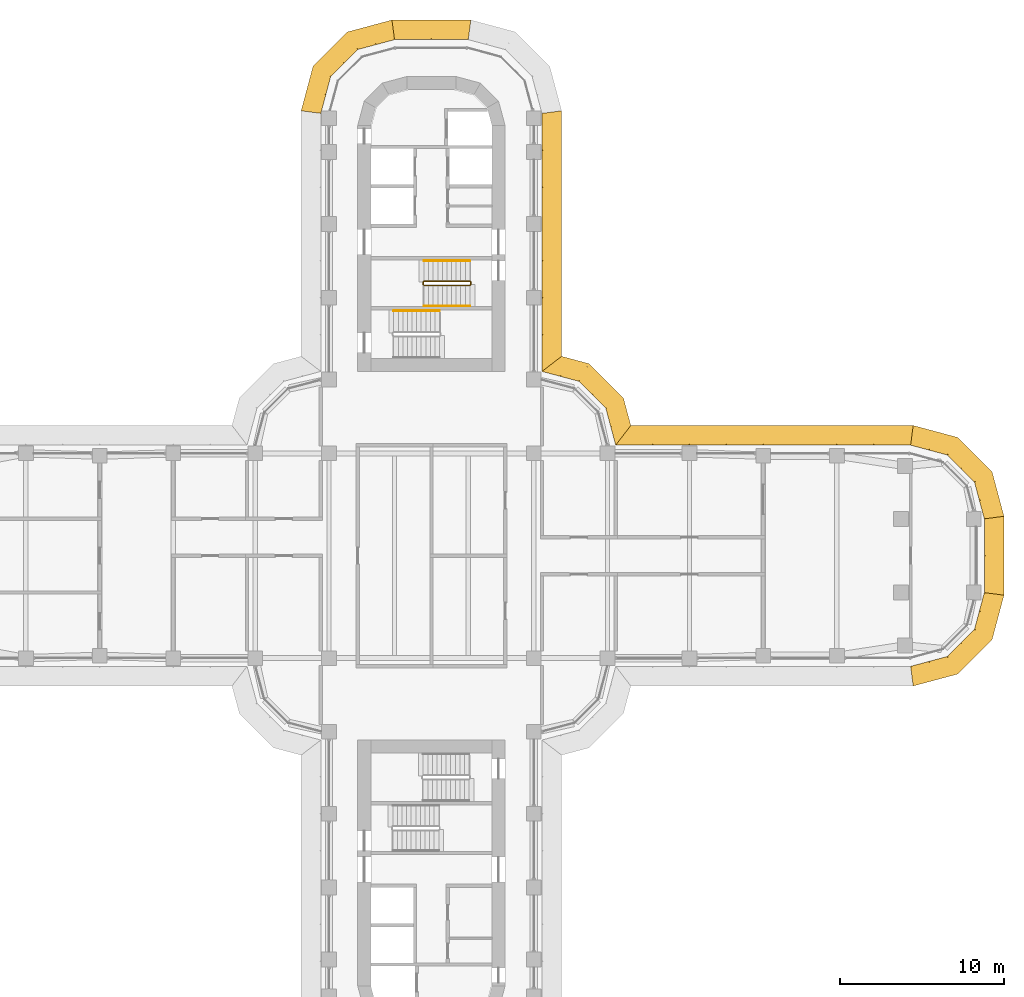
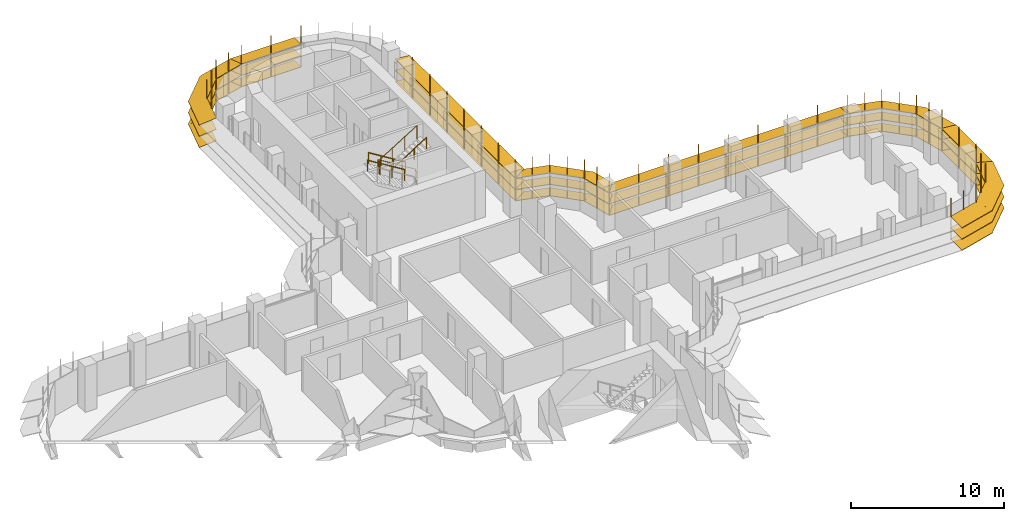
# One storey, part 21 of 22: 8 shading devices, 4 railings.
"""IFC4 building model written with IfcOpenShell, lengths in metres."""

from ifc_helpers import new_model, si_unit, direction, frame, origin, origin_2d, place, context, subcontext, project, spatial, polyline, circle, outline, extrude, faceted_brep, source, transform, mapped, material, type_object, element, save


model = new_model("IFC4")

# Units and contexts
model_context = context("Model", 3, precision=1e-05, world=origin(), true_north=direction((0.0, 1.0)))
body_context = subcontext(model_context, "Body", "Model", "MODEL_VIEW")
ifc_project = project(units=[si_unit("LENGTHUNIT", "METRE"), si_unit("AREAUNIT", "SQUARE_METRE"), si_unit("VOLUMEUNIT", "CUBIC_METRE"), si_unit("PLANEANGLEUNIT", "RADIAN"), si_unit("MASSUNIT", "GRAM", prefix="KILO")], contexts=[model_context])

# Site, building, storey
site_placement = place(None, origin())
site = spatial("IfcSite", under=ifc_project, at=site_placement, CompositionType="ELEMENT")
building_placement = place(site_placement, origin())
building = spatial("IfcBuilding", under=site, at=building_placement, Name="Zarbagh Exchange Tower", CompositionType="ELEMENT")
storey_placement = place(building_placement, frame((0.0, 0.0, 98.0)))
storey = spatial("IfcBuildingStorey", under=building, at=storey_placement, Name="L22", CompositionType="ELEMENT", Elevation=98.0)

# Railings
ifc_material_1 = material(Name="Stainless steel", Category="steel")
railing_type_1 = type_object("IfcRailingType", Name="Stair guard 1100 mm", PredefinedType="GUARDRAIL", material=ifc_material_1)
railing_1_placement = place(storey_placement, frame((-0.449951171875, 16.5, 2.07275390625)))
element("IfcRailing", 1, at=railing_1_placement, inside=storey, type_object=railing_type_1, Name="ST1 stair guard 1", PredefinedType="GUARDRAIL", context=body_context, shape_type="SweptSolid", body=[
    extrude(circle(Radius=0.02392578125, at=origin_2d()), frame((0.0, 0.0, 1.076171875), z_axis=(0.851089632645, 0.0, 0.525020415988), x_axis=(0.0, 1.0, 0.0)), (0.0, 0.0, 1.0), 3.2900390625),
    extrude(circle(Radius=0.02392578125, at=origin_2d()), frame((2.800048828125, 0.0, 2.80322265625), z_axis=(0.013104066473, 0.013168302093, -0.99982742474), x_axis=(-0.708833529934, 0.705375805398, 0.0)), (0.0, 0.0, 1.0), 3.80078125),
    extrude(circle(Radius=0.02392578125, at=origin_2d()), frame((2.849853515625, 0.050048828125, -0.99658203125), z_axis=(0.0, 1.0, 0.0), x_axis=(-1.0, 0.0, 0.0)), (0.0, 0.0, 1.0), 0.14990234375),
    extrude(circle(Radius=0.02392578125, at=origin_2d()), frame((2.849853515625, 0.199951171875, -0.99658203125), z_axis=(-0.267062837333, 0.268371968888, 0.925556009775), x_axis=(-0.708833529934, -0.705375805398, 0.0)), (0.0, 0.0, 1.0), 0.1865234375),
    extrude(circle(Radius=0.02392578125, at=origin_2d()), frame((2.800048828125, 0.25, -0.82421875), z_axis=(-0.851089632645, 0.0, 0.525020415988), x_axis=(0.0, -1.0, 0.0)), (0.0, 0.0, 1.0), 3.2900390625),
    extrude(circle(Radius=0.02392578125, at=origin_2d()), frame((0.0, 0.25, 0.9033203125), z_axis=(-0.707106781187, -0.707106781187, 0.0), x_axis=(0.707106781187, -0.707106781187, 0.0)), (0.0, 0.0, 1.0), 0.07080078125),
    extrude(circle(Radius=0.02392578125, at=origin_2d()), frame((-0.050048828125, 0.199951171875, 0.9033203125), z_axis=(0.0, -1.0, 0.0), x_axis=(1.0, 0.0, 0.0)), (0.0, 0.0, 1.0), 0.14990234375),
    extrude(circle(Radius=0.02099609375, at=origin_2d()), origin(), (0.0, 0.0, 1.0), 1.052001953125),
    extrude(circle(Radius=0.02099609375, at=origin_2d()), frame((0.933349609375, 0.0, 0.57568359375)), (0.0, 0.0, 1.0), 1.052001953125),
    extrude(circle(Radius=0.02099609375, at=origin_2d()), frame((1.86669921875, 0.0, 1.151611328125)), (0.0, 0.0, 1.0), 1.052001953125),
    extrude(circle(Radius=0.02099609375, at=origin_2d()), frame((2.800048828125, 0.0, 1.727294921875)), (0.0, 0.0, 1.0), 1.052001953125),
    extrude(circle(Radius=0.02099609375, at=origin_2d()), frame((2.8125, 0.012451171875, 0.77734375)), (0.0, 0.0, 1.0), 1.052001953125),
    extrude(circle(Radius=0.02099609375, at=origin_2d()), frame((2.824951171875, 0.02490234375, -0.1728515625)), (0.0, 0.0, 1.0), 1.052001953125),
    extrude(circle(Radius=0.02099609375, at=origin_2d()), frame((2.83740234375, 0.03759765625, -1.122802734375)), (0.0, 0.0, 1.0), 1.052001953125),
    extrude(circle(Radius=0.02099609375, at=origin_2d()), frame((2.849853515625, 0.050048828125, -2.07275390625)), (0.0, 0.0, 1.0), 1.052001953125),
    extrude(circle(Radius=0.02099609375, at=origin_2d()), frame((2.849853515625, 0.199951171875, -2.07275390625)), (0.0, 0.0, 1.0), 1.052001953125),
    extrude(circle(Radius=0.02099609375, at=origin_2d()), frame((2.800048828125, 0.25, -1.900146484375)), (0.0, 0.0, 1.0), 1.052001953125),
    extrude(circle(Radius=0.02099609375, at=origin_2d()), frame((1.86669921875, 0.25, -1.324462890625)), (0.0, 0.0, 1.0), 1.052001953125),
    extrude(circle(Radius=0.02099609375, at=origin_2d()), frame((0.933349609375, 0.25, -0.74853515625)), (0.0, 0.0, 1.0), 1.052001953125),
    extrude(circle(Radius=0.02099609375, at=origin_2d()), frame((0.0, 0.25, -0.1728515625)), (0.0, 0.0, 1.0), 1.052001953125),
    extrude(circle(Radius=0.02099609375, at=origin_2d()), frame((-0.050048828125, 0.199951171875, -0.1728515625)), (0.0, 0.0, 1.0), 1.052001953125),
    extrude(circle(Radius=0.02099609375, at=origin_2d()), frame((-0.050048828125, 0.050048828125, -0.1728515625)), (0.0, 0.0, 1.0), 1.052001953125),
])
railing_type_2 = type_object("IfcRailingType", Name="Stair handrail 900 mm", PredefinedType="HANDRAIL", material=ifc_material_1)
railing_2_placement = place(storey_placement, frame((2.35009765625, 18.0, 0.172607421875)))
element("IfcRailing", 2, at=railing_2_placement, inside=storey, type_object=railing_type_2, Name="ST1 stair handrail 1", PredefinedType="HANDRAIL", context=body_context, shape_type="SweptSolid", body=[
    extrude(circle(Radius=0.02392578125, at=origin_2d()), frame((0.0, 0.0, 0.8759765625), z_axis=(-0.851089632645, 0.0, 0.525020415988), x_axis=(0.0, -1.0, 0.0)), (0.0, 0.0, 1.0), 3.2900390625),
    extrude(circle(Radius=0.02099609375, at=origin_2d()), origin(), (0.0, 0.0, 1.0), 0.851806640625),
    extrude(circle(Radius=0.02099609375, at=origin_2d()), frame((-0.933349609375, 0.0, 0.57568359375)), (0.0, 0.0, 1.0), 0.851806640625),
    extrude(circle(Radius=0.02099609375, at=origin_2d()), frame((-1.86669921875, 0.0, 1.151611328125)), (0.0, 0.0, 1.0), 0.851806640625),
    extrude(circle(Radius=0.02099609375, at=origin_2d()), frame((-2.800048828125, 0.0, 1.727294921875)), (0.0, 0.0, 1.0), 0.851806640625),
])
railing_3_placement = place(storey_placement, frame((-0.449951171875, 15.25, 2.07275390625)))
element("IfcRailing", 3, at=railing_3_placement, inside=storey, type_object=railing_type_2, Name="ST1 stair handrail 2", PredefinedType="HANDRAIL", context=body_context, shape_type="SweptSolid", body=[
    extrude(circle(Radius=0.02392578125, at=origin_2d()), frame((0.0, 0.0, 0.8759765625), z_axis=(0.851089632645, 0.0, 0.525020415988), x_axis=(0.0, 1.0, 0.0)), (0.0, 0.0, 1.0), 3.2900390625),
    extrude(circle(Radius=0.02099609375, at=origin_2d()), origin(), (0.0, 0.0, 1.0), 0.851806640625),
    extrude(circle(Radius=0.02099609375, at=origin_2d()), frame((0.933349609375, 0.0, 0.57568359375)), (0.0, 0.0, 1.0), 0.851806640625),
    extrude(circle(Radius=0.02099609375, at=origin_2d()), frame((1.86669921875, 0.0, 1.151611328125)), (0.0, 0.0, 1.0), 0.851806640625),
    extrude(circle(Radius=0.02099609375, at=origin_2d()), frame((2.800048828125, 0.0, 1.727294921875)), (0.0, 0.0, 1.0), 0.851806640625),
])
railing_4_placement = place(storey_placement, frame((0.5, 14.949951171875, 2.07275390625)))
element("IfcRailing", 4, at=railing_4_placement, inside=storey, type_object=railing_type_2, Name="ST2 stair handrail 2", PredefinedType="HANDRAIL", context=body_context, shape_type="SweptSolid", body=[
    extrude(circle(Radius=0.02392578125, at=origin_2d()), frame((0.0, 0.0, 0.8759765625), z_axis=(-0.851089632645, 0.0, 0.525020415988), x_axis=(0.0, -1.0, 0.0)), (0.0, 0.0, 1.0), 3.2900390625),
    extrude(circle(Radius=0.02099609375, at=origin_2d()), origin(), (0.0, 0.0, 1.0), 0.851806640625),
    extrude(circle(Radius=0.02099609375, at=origin_2d()), frame((-0.933349609375, 0.0, 0.57568359375)), (0.0, 0.0, 1.0), 0.851806640625),
    extrude(circle(Radius=0.02099609375, at=origin_2d()), frame((-1.86669921875, 0.0, 1.151611328125)), (0.0, 0.0, 1.0), 0.851806640625),
    extrude(circle(Radius=0.02099609375, at=origin_2d()), frame((-2.800048828125, 0.0, 1.727294921875)), (0.0, 0.0, 1.0), 0.851806640625),
])

# Shading devices
ifc_material_2 = material(Name="Anodised aluminium blades and brackets", Category="aluminium")
shading_device_type = type_object("IfcShadingDeviceType", Name="SUNSHADE louvre band, 11.25 degree blades", PredefinedType="JALOUSIE", material=ifc_material_2)
shared_shape_1 = source(origin(), body_context, "Body", "Brep", [
    faceted_brep([(0.0, 0.0, 0.0), (0.0, 0.0, -0.040771484375), (-0.157958984375, -1.199951171875, -0.279541015625), (-0.157958984375, -1.199951171875, -0.23876953125), (2.65087890625, -1.199951171875, -0.23876953125), (2.65087890625, -1.199951171875, -0.279541015625), (2.329345703125, 0.0, -0.040771484375), (2.329345703125, 0.0, 0.0)], [[[0, 1, 2, 3]], [[4, 5, 6, 7]], [[0, 7, 6, 1]], [[1, 6, 5, 2]], [[2, 5, 4, 3]], [[3, 4, 7, 0]]]),
])
shared_shape_2 = source(origin(), body_context, "Body", "Brep", [
    faceted_brep([(0.0, 0.0, 0.0), (0.0, 0.0, -0.040771484375), (-0.321533203125, -1.199951171875, -0.279541015625), (-0.321533203125, -1.199951171875, -0.23876953125), (2.65087890625, -1.199951171875, -0.23876953125), (2.65087890625, -1.199951171875, -0.279541015625), (2.329345703125, 0.0, -0.040771484375), (2.329345703125, 0.0, 0.0)], [[[0, 1, 2, 3]], [[4, 5, 6, 7]], [[0, 7, 6, 1]], [[1, 6, 5, 2]], [[2, 5, 4, 3]], [[3, 4, 7, 0]]]),
])
shared_shape_3 = source(origin(), body_context, "Body", "Brep", [
    faceted_brep([(0.0, 0.0, 0.0), (0.0, 0.0, -0.040771484375), (-0.321533203125, -1.199951171875, -0.279541015625), (-0.321533203125, -1.199951171875, -0.23876953125), (2.4873046875, -1.199951171875, -0.23876953125), (2.4873046875, -1.199951171875, -0.279541015625), (2.329345703125, 0.0, -0.040771484375), (2.329345703125, 0.0, 0.0)], [[[0, 1, 2, 3]], [[4, 5, 6, 7]], [[0, 7, 6, 1]], [[1, 6, 5, 2]], [[2, 5, 4, 3]], [[3, 4, 7, 0]]]),
])
shared_shape_4 = source(origin(), body_context, "Body", "SweptSolid", [
    extrude(outline(polyline([(0.0, -0.012451171875), (0.06005859375, -0.012451171875), (0.06005859375, 0.012451171875), (0.0, 0.012451171875), (0.0, -0.012451171875)])), origin(), (0.0, 0.0, 1.0), 3.350830078125),
])
placement = place(storey_placement, origin())
element("IfcShadingDevice", 5, at=placement, inside=storey, type_object=shading_device_type, Name="SS05 sunshade band", PredefinedType="JALOUSIE", context=body_context, shape_type="MappedRepresentation", body=[
    mapped(shared_shape_1, transform((29.25, -6.75, 2.300048828125), x_axis=(0.965924289636, 0.258824779902, 0.0), y_axis=(-0.258824779902, 0.965924289636, 0.0), z_axis=(0.0, 0.0, 1.0))),
    mapped(shared_shape_1, transform((29.25, -6.75, 1.39990234375), x_axis=(0.965924289636, 0.258824779902, 0.0), y_axis=(-0.258824779902, 0.965924289636, 0.0), z_axis=(0.0, 0.0, 1.0))),
    mapped(shared_shape_1, transform((29.25, -6.75, 0.5), x_axis=(0.965924289636, 0.258824779902, 0.0), y_axis=(-0.258824779902, 0.965924289636, 0.0), z_axis=(0.0, 0.0, 1.0))),
    mapped(shared_shape_2, transform((31.5, -6.147216796875, 2.300048828125), x_axis=(0.707106781187, 0.707106781187, 0.0), y_axis=(-0.707106781187, 0.707106781187, 0.0), z_axis=(0.0, 0.0, 1.0))),
    mapped(shared_shape_2, transform((31.5, -6.147216796875, 1.39990234375), x_axis=(0.707106781187, 0.707106781187, 0.0), y_axis=(-0.707106781187, 0.707106781187, 0.0), z_axis=(0.0, 0.0, 1.0))),
    mapped(shared_shape_2, transform((31.5, -6.147216796875, 0.5), x_axis=(0.707106781187, 0.707106781187, 0.0), y_axis=(-0.707106781187, 0.707106781187, 0.0), z_axis=(0.0, 0.0, 1.0))),
    mapped(shared_shape_3, transform((33.147216796875, -4.5, 2.300048828125), x_axis=(0.258824779902, 0.965924289636, 0.0), y_axis=(-0.965924289636, 0.258824779902, 0.0), z_axis=(0.0, 0.0, 1.0))),
    mapped(shared_shape_3, transform((33.147216796875, -4.5, 1.39990234375), x_axis=(0.258824779902, 0.965924289636, 0.0), y_axis=(-0.965924289636, 0.258824779902, 0.0), z_axis=(0.0, 0.0, 1.0))),
    mapped(shared_shape_3, transform((33.147216796875, -4.5, 0.5), x_axis=(0.258824779902, 0.965924289636, 0.0), y_axis=(-0.965924289636, 0.258824779902, 0.0), z_axis=(0.0, 0.0, 1.0))),
    mapped(shared_shape_4, transform((29.25, -6.75, 0.42919921875), x_axis=(0.130529263012, -0.991444457092, 0.0), y_axis=(0.991444457092, 0.130529263012, 0.0), z_axis=(0.0, 0.0, 1.0))),
    mapped(shared_shape_4, transform((30.375, -6.448486328125, 0.42919921875), x_axis=(0.258825058029, -0.96592421511, 0.0), y_axis=(0.96592421511, 0.258825058029, 0.0), z_axis=(0.0, 0.0, 1.0))),
    mapped(shared_shape_4, transform((31.5, -6.147216796875, 0.42919921875), x_axis=(0.50000275701, -0.866023812018, 0.0), y_axis=(0.866023812018, 0.50000275701, 0.0), z_axis=(0.0, 0.0, 1.0))),
    mapped(shared_shape_4, transform((32.323486328125, -5.323486328125, 0.42919921875), x_axis=(0.707106781187, -0.707106781187, 0.0), y_axis=(0.707106781187, 0.707106781187, 0.0), z_axis=(0.0, 0.0, 1.0))),
    mapped(shared_shape_4, transform((33.147216796875, -4.5, 0.42919921875), x_axis=(0.866023812018, -0.50000275701, 0.0), y_axis=(0.50000275701, 0.866023812018, 0.0), z_axis=(0.0, 0.0, 1.0))),
    mapped(shared_shape_4, transform((33.448486328125, -3.375, 0.42919921875), x_axis=(0.96592421511, -0.258825058029, 0.0), y_axis=(0.258825058029, 0.96592421511, 0.0), z_axis=(0.0, 0.0, 1.0))),
])
element("IfcShadingDevice", 6, at=placement, inside=storey, type_object=shading_device_type, Name="SS07 sunshade band", PredefinedType="JALOUSIE", context=body_context, shape_type="MappedRepresentation", body=[
    mapped(shared_shape_1, transform((33.75, 2.25, 2.300048828125), x_axis=(-0.258824779902, 0.965924289636, 0.0), y_axis=(-0.965924289636, -0.258824779902, 0.0), z_axis=(0.0, 0.0, 1.0))),
    mapped(shared_shape_1, transform((33.75, 2.25, 1.39990234375), x_axis=(-0.258824779902, 0.965924289636, 0.0), y_axis=(-0.965924289636, -0.258824779902, 0.0), z_axis=(0.0, 0.0, 1.0))),
    mapped(shared_shape_1, transform((33.75, 2.25, 0.5), x_axis=(-0.258824779902, 0.965924289636, 0.0), y_axis=(-0.965924289636, -0.258824779902, 0.0), z_axis=(0.0, 0.0, 1.0))),
    mapped(shared_shape_2, transform((33.147216796875, 4.5, 2.300048828125), x_axis=(-0.707106781187, 0.707106781187, 0.0), y_axis=(-0.707106781187, -0.707106781187, 0.0), z_axis=(0.0, 0.0, 1.0))),
    mapped(shared_shape_2, transform((33.147216796875, 4.5, 1.39990234375), x_axis=(-0.707106781187, 0.707106781187, 0.0), y_axis=(-0.707106781187, -0.707106781187, 0.0), z_axis=(0.0, 0.0, 1.0))),
    mapped(shared_shape_2, transform((33.147216796875, 4.5, 0.5), x_axis=(-0.707106781187, 0.707106781187, 0.0), y_axis=(-0.707106781187, -0.707106781187, 0.0), z_axis=(0.0, 0.0, 1.0))),
    mapped(shared_shape_3, transform((31.5, 6.147216796875, 2.300048828125), x_axis=(-0.965924289636, 0.258824779902, 0.0), y_axis=(-0.258824779902, -0.965924289636, 0.0), z_axis=(0.0, 0.0, 1.0))),
    mapped(shared_shape_3, transform((31.5, 6.147216796875, 1.39990234375), x_axis=(-0.965924289636, 0.258824779902, 0.0), y_axis=(-0.258824779902, -0.965924289636, 0.0), z_axis=(0.0, 0.0, 1.0))),
    mapped(shared_shape_3, transform((31.5, 6.147216796875, 0.5), x_axis=(-0.965924289636, 0.258824779902, 0.0), y_axis=(-0.258824779902, -0.965924289636, 0.0), z_axis=(0.0, 0.0, 1.0))),
    mapped(shared_shape_4, transform((33.75, 2.25, 0.42919921875), x_axis=(0.991444457092, 0.130529263012, 0.0), y_axis=(-0.130529263012, 0.991444457092, 0.0), z_axis=(0.0, 0.0, 1.0))),
    mapped(shared_shape_4, transform((33.448486328125, 3.375, 0.42919921875), x_axis=(0.96592421511, 0.258825058029, 0.0), y_axis=(-0.258825058029, 0.96592421511, 0.0), z_axis=(0.0, 0.0, 1.0))),
    mapped(shared_shape_4, transform((33.147216796875, 4.5, 0.42919921875), x_axis=(0.866023812018, 0.50000275701, 0.0), y_axis=(-0.50000275701, 0.866023812018, 0.0), z_axis=(0.0, 0.0, 1.0))),
    mapped(shared_shape_4, transform((32.323486328125, 5.323486328125, 0.42919921875), x_axis=(0.707106781187, 0.707106781187, 0.0), y_axis=(-0.707106781187, 0.707106781187, 0.0), z_axis=(0.0, 0.0, 1.0))),
    mapped(shared_shape_4, transform((31.5, 6.147216796875, 0.42919921875), x_axis=(0.50000275701, 0.866023812018, 0.0), y_axis=(-0.866023812018, 0.50000275701, 0.0), z_axis=(0.0, 0.0, 1.0))),
    mapped(shared_shape_4, transform((30.375, 6.448486328125, 0.42919921875), x_axis=(0.258825058029, 0.96592421511, 0.0), y_axis=(-0.96592421511, 0.258825058029, 0.0), z_axis=(0.0, 0.0, 1.0))),
])
element("IfcShadingDevice", 7, at=placement, inside=storey, type_object=shading_device_type, Name="SS28 sunshade band", PredefinedType="JALOUSIE", context=body_context, shape_type="MappedRepresentation", body=[
    mapped(shared_shape_1, transform((-2.25, 31.5, 2.300048828125), x_axis=(-0.965924289636, -0.258824779902, 0.0), y_axis=(0.258824779902, -0.965924289636, 0.0), z_axis=(0.0, 0.0, 1.0))),
    mapped(shared_shape_1, transform((-2.25, 31.5, 1.39990234375), x_axis=(-0.965924289636, -0.258824779902, 0.0), y_axis=(0.258824779902, -0.965924289636, 0.0), z_axis=(0.0, 0.0, 1.0))),
    mapped(shared_shape_1, transform((-2.25, 31.5, 0.5), x_axis=(-0.965924289636, -0.258824779902, 0.0), y_axis=(0.258824779902, -0.965924289636, 0.0), z_axis=(0.0, 0.0, 1.0))),
    mapped(shared_shape_2, transform((-4.5, 30.897216796875, 2.300048828125), x_axis=(-0.707106781187, -0.707106781187, 0.0), y_axis=(0.707106781187, -0.707106781187, 0.0), z_axis=(0.0, 0.0, 1.0))),
    mapped(shared_shape_2, transform((-4.5, 30.897216796875, 1.39990234375), x_axis=(-0.707106781187, -0.707106781187, 0.0), y_axis=(0.707106781187, -0.707106781187, 0.0), z_axis=(0.0, 0.0, 1.0))),
    mapped(shared_shape_2, transform((-4.5, 30.897216796875, 0.5), x_axis=(-0.707106781187, -0.707106781187, 0.0), y_axis=(0.707106781187, -0.707106781187, 0.0), z_axis=(0.0, 0.0, 1.0))),
    mapped(shared_shape_3, transform((-6.147216796875, 29.25, 2.300048828125), x_axis=(-0.258824779902, -0.965924289636, 0.0), y_axis=(0.965924289636, -0.258824779902, 0.0), z_axis=(0.0, 0.0, 1.0))),
    mapped(shared_shape_3, transform((-6.147216796875, 29.25, 1.39990234375), x_axis=(-0.258824779902, -0.965924289636, 0.0), y_axis=(0.965924289636, -0.258824779902, 0.0), z_axis=(0.0, 0.0, 1.0))),
    mapped(shared_shape_3, transform((-6.147216796875, 29.25, 0.5), x_axis=(-0.258824779902, -0.965924289636, 0.0), y_axis=(0.965924289636, -0.258824779902, 0.0), z_axis=(0.0, 0.0, 1.0))),
    mapped(shared_shape_4, transform((-2.25, 31.5, 0.42919921875), x_axis=(-0.130529263012, 0.991444457092, 0.0), y_axis=(-0.991444457092, -0.130529263012, 0.0), z_axis=(0.0, 0.0, 1.0))),
    mapped(shared_shape_4, transform((-3.375, 31.198486328125, 0.42919921875), x_axis=(-0.258825058029, 0.96592421511, 0.0), y_axis=(-0.96592421511, -0.258825058029, 0.0), z_axis=(0.0, 0.0, 1.0))),
    mapped(shared_shape_4, transform((-4.5, 30.897216796875, 0.42919921875), x_axis=(-0.50000275701, 0.866023812018, 0.0), y_axis=(-0.866023812018, -0.50000275701, 0.0), z_axis=(0.0, 0.0, 1.0))),
    mapped(shared_shape_4, transform((-5.323486328125, 30.073486328125, 0.42919921875), x_axis=(-0.707106781187, 0.707106781187, 0.0), y_axis=(-0.707106781187, -0.707106781187, 0.0), z_axis=(0.0, 0.0, 1.0))),
    mapped(shared_shape_4, transform((-6.147216796875, 29.25, 0.42919921875), x_axis=(-0.866023812018, 0.50000275701, 0.0), y_axis=(-0.50000275701, -0.866023812018, 0.0), z_axis=(0.0, 0.0, 1.0))),
    mapped(shared_shape_4, transform((-6.448486328125, 28.125, 0.42919921875), x_axis=(-0.96592421511, 0.258825058029, 0.0), y_axis=(-0.258825058029, -0.96592421511, 0.0), z_axis=(0.0, 0.0, 1.0))),
])
shared_shape_5 = source(origin(), body_context, "Body", "Brep", [
    faceted_brep([(0.0, 0.0, 0.0), (0.0, 0.0, -0.040771484375), (0.9208984375, -1.199951171875, -0.279541015625), (0.9208984375, -1.199951171875, -0.23876953125), (2.65087890625, -1.199951171875, -0.23876953125), (2.65087890625, -1.199951171875, -0.279541015625), (2.329345703125, 0.0, -0.040771484375), (2.329345703125, 0.0, 0.0)], [[[0, 1, 2, 3]], [[4, 5, 6, 7]], [[0, 7, 6, 1]], [[1, 6, 5, 2]], [[2, 5, 4, 3]], [[3, 4, 7, 0]]]),
])
shared_shape_6 = source(origin(), body_context, "Body", "Brep", [
    faceted_brep([(0.0, 0.0, 0.0), (0.0, 0.0, -0.040771484375), (-0.321533203125, -1.199951171875, -0.279541015625), (-0.321533203125, -1.199951171875, -0.23876953125), (1.40869140625, -1.199951171875, -0.23876953125), (1.40869140625, -1.199951171875, -0.279541015625), (2.329345703125, 0.0, -0.040771484375), (2.329345703125, 0.0, 0.0)], [[[0, 1, 2, 3]], [[4, 5, 6, 7]], [[0, 7, 6, 1]], [[1, 6, 5, 2]], [[2, 5, 4, 3]], [[3, 4, 7, 0]]]),
])
element("IfcShadingDevice", 8, at=placement, inside=storey, type_object=shading_device_type, Name="SS09 sunshade band", PredefinedType="JALOUSIE", context=body_context, shape_type="MappedRepresentation", body=[
    mapped(shared_shape_5, transform((11.25, 6.75, 2.300048828125), x_axis=(-0.258824779902, 0.965924289636, 0.0), y_axis=(-0.965924289636, -0.258824779902, 0.0), z_axis=(0.0, 0.0, 1.0))),
    mapped(shared_shape_5, transform((11.25, 6.75, 1.39990234375), x_axis=(-0.258824779902, 0.965924289636, 0.0), y_axis=(-0.965924289636, -0.258824779902, 0.0), z_axis=(0.0, 0.0, 1.0))),
    mapped(shared_shape_5, transform((11.25, 6.75, 0.5), x_axis=(-0.258824779902, 0.965924289636, 0.0), y_axis=(-0.965924289636, -0.258824779902, 0.0), z_axis=(0.0, 0.0, 1.0))),
    mapped(shared_shape_2, transform((10.647216796875, 9.0, 2.300048828125), x_axis=(-0.707106781187, 0.707106781187, 0.0), y_axis=(-0.707106781187, -0.707106781187, 0.0), z_axis=(0.0, 0.0, 1.0))),
    mapped(shared_shape_2, transform((10.647216796875, 9.0, 1.39990234375), x_axis=(-0.707106781187, 0.707106781187, 0.0), y_axis=(-0.707106781187, -0.707106781187, 0.0), z_axis=(0.0, 0.0, 1.0))),
    mapped(shared_shape_2, transform((10.647216796875, 9.0, 0.5), x_axis=(-0.707106781187, 0.707106781187, 0.0), y_axis=(-0.707106781187, -0.707106781187, 0.0), z_axis=(0.0, 0.0, 1.0))),
    mapped(shared_shape_6, transform((9.0, 10.647216796875, 2.300048828125), x_axis=(-0.965924289636, 0.258824779902, 0.0), y_axis=(-0.258824779902, -0.965924289636, 0.0), z_axis=(0.0, 0.0, 1.0))),
    mapped(shared_shape_6, transform((9.0, 10.647216796875, 1.39990234375), x_axis=(-0.965924289636, 0.258824779902, 0.0), y_axis=(-0.258824779902, -0.965924289636, 0.0), z_axis=(0.0, 0.0, 1.0))),
    mapped(shared_shape_6, transform((9.0, 10.647216796875, 0.5), x_axis=(-0.965924289636, 0.258824779902, 0.0), y_axis=(-0.258824779902, -0.965924289636, 0.0), z_axis=(0.0, 0.0, 1.0))),
    mapped(shared_shape_4, transform((11.25, 6.75, 0.42919921875), x_axis=(0.608758892, 0.793355287, 0.0), y_axis=(-0.793355287, 0.608758892, 0.0), z_axis=(0.0, 0.0, 1.0))),
    mapped(shared_shape_4, transform((10.948486328125, 7.875, 0.42919921875), x_axis=(0.96592421511, 0.258825058029, 0.0), y_axis=(-0.258825058029, 0.96592421511, 0.0), z_axis=(0.0, 0.0, 1.0))),
    mapped(shared_shape_4, transform((10.647216796875, 9.0, 0.42919921875), x_axis=(0.866023812018, 0.50000275701, 0.0), y_axis=(-0.50000275701, 0.866023812018, 0.0), z_axis=(0.0, 0.0, 1.0))),
    mapped(shared_shape_4, transform((9.823486328125, 9.823486328125, 0.42919921875), x_axis=(0.707106781187, 0.707106781187, 0.0), y_axis=(-0.707106781187, 0.707106781187, 0.0), z_axis=(0.0, 0.0, 1.0))),
    mapped(shared_shape_4, transform((9.0, 10.647216796875, 0.42919921875), x_axis=(0.50000275701, 0.866023812018, 0.0), y_axis=(-0.866023812018, 0.50000275701, 0.0), z_axis=(0.0, 0.0, 1.0))),
    mapped(shared_shape_4, transform((7.875, 10.948486328125, 0.42919921875), x_axis=(0.258825058029, 0.96592421511, 0.0), y_axis=(-0.96592421511, 0.258825058029, 0.0), z_axis=(0.0, 0.0, 1.0))),
])
shared_shape_7 = source(origin(), body_context, "Body", "Brep", [
    faceted_brep([(0.0, 0.0, 0.0), (0.0, 0.0, -0.040771484375), (-0.157958984375, -1.199951171875, -0.279541015625), (-0.157958984375, -1.199951171875, -0.23876953125), (4.657958984375, -1.199951171875, -0.23876953125), (4.657958984375, -1.199951171875, -0.279541015625), (4.5, 0.0, -0.040771484375), (4.5, 0.0, 0.0)], [[[0, 1, 2, 3]], [[4, 5, 6, 7]], [[0, 7, 6, 1]], [[1, 6, 5, 2]], [[2, 5, 4, 3]], [[3, 4, 7, 0]]]),
])
element("IfcShadingDevice", 9, at=placement, inside=storey, type_object=shading_device_type, Name="SS06 sunshade band", PredefinedType="JALOUSIE", context=body_context, shape_type="MappedRepresentation", body=[
    mapped(shared_shape_7, transform((33.75, -2.25, 2.300048828125), x_axis=(0.0, 1.0, 0.0), y_axis=(-1.0, 0.0, 0.0), z_axis=(0.0, 0.0, 1.0))),
    mapped(shared_shape_7, transform((33.75, -2.25, 1.39990234375), x_axis=(0.0, 1.0, 0.0), y_axis=(-1.0, 0.0, 0.0), z_axis=(0.0, 0.0, 1.0))),
    mapped(shared_shape_7, transform((33.75, -2.25, 0.5), x_axis=(0.0, 1.0, 0.0), y_axis=(-1.0, 0.0, 0.0), z_axis=(0.0, 0.0, 1.0))),
    mapped(shared_shape_4, transform((33.75, -2.25, 0.42919921875), x_axis=(0.991444457092, -0.130529263012, 0.0), y_axis=(0.130529263012, 0.991444457092, 0.0), z_axis=(0.0, 0.0, 1.0))),
    mapped(shared_shape_4, transform((33.75, 0.0, 0.42919921875), x_axis=(1.0, 0.0, 0.0), y_axis=(0.0, 1.0, 0.0), z_axis=(0.0, 0.0, 1.0))),
])
shared_shape_8 = source(origin(), body_context, "Body", "Brep", [
    faceted_brep([(0.0, 0.0, 0.0), (0.0, 0.0, -0.040771484375), (-0.157958984375, -1.199951171875, -0.279541015625), (-0.157958984375, -1.199951171875, -0.23876953125), (17.0791015625, -1.199951171875, -0.23876953125), (17.0791015625, -1.199951171875, -0.279541015625), (18.0, 0.0, -0.040771484375), (18.0, 0.0, 0.0)], [[[0, 1, 2, 3]], [[4, 5, 6, 7]], [[0, 7, 6, 1]], [[1, 6, 5, 2]], [[2, 5, 4, 3]], [[3, 4, 7, 0]]]),
])
element("IfcShadingDevice", 10, at=placement, inside=storey, type_object=shading_device_type, Name="SS08 sunshade band", PredefinedType="JALOUSIE", context=body_context, shape_type="MappedRepresentation", body=[
    mapped(shared_shape_8, transform((29.25, 6.75, 2.300048828125), x_axis=(-1.0, 0.0, 0.0), y_axis=(0.0, -1.0, 0.0), z_axis=(0.0, 0.0, 1.0))),
    mapped(shared_shape_8, transform((29.25, 6.75, 1.39990234375), x_axis=(-1.0, 0.0, 0.0), y_axis=(0.0, -1.0, 0.0), z_axis=(0.0, 0.0, 1.0))),
    mapped(shared_shape_8, transform((29.25, 6.75, 0.5), x_axis=(-1.0, 0.0, 0.0), y_axis=(0.0, -1.0, 0.0), z_axis=(0.0, 0.0, 1.0))),
    mapped(shared_shape_4, transform((29.25, 6.75, 0.42919921875), x_axis=(0.130529263012, 0.991444457092, 0.0), y_axis=(-0.991444457092, 0.130529263012, 0.0), z_axis=(0.0, 0.0, 1.0))),
    mapped(shared_shape_4, transform((27.0, 6.75, 0.42919921875), x_axis=(0.0, 1.0, 0.0), y_axis=(-1.0, 0.0, 0.0), z_axis=(0.0, 0.0, 1.0))),
    mapped(shared_shape_4, transform((24.75, 6.75, 0.42919921875), x_axis=(0.0, 1.0, 0.0), y_axis=(-1.0, 0.0, 0.0), z_axis=(0.0, 0.0, 1.0))),
    mapped(shared_shape_4, transform((22.5, 6.75, 0.42919921875), x_axis=(0.0, 1.0, 0.0), y_axis=(-1.0, 0.0, 0.0), z_axis=(0.0, 0.0, 1.0))),
    mapped(shared_shape_4, transform((20.25, 6.75, 0.42919921875), x_axis=(0.0, 1.0, 0.0), y_axis=(-1.0, 0.0, 0.0), z_axis=(0.0, 0.0, 1.0))),
    mapped(shared_shape_4, transform((18.0, 6.75, 0.42919921875), x_axis=(0.0, 1.0, 0.0), y_axis=(-1.0, 0.0, 0.0), z_axis=(0.0, 0.0, 1.0))),
    mapped(shared_shape_4, transform((15.75, 6.75, 0.42919921875), x_axis=(0.0, 1.0, 0.0), y_axis=(-1.0, 0.0, 0.0), z_axis=(0.0, 0.0, 1.0))),
    mapped(shared_shape_4, transform((13.5, 6.75, 0.42919921875), x_axis=(0.0, 1.0, 0.0), y_axis=(-1.0, 0.0, 0.0), z_axis=(0.0, 0.0, 1.0))),
])
shared_shape_9 = source(origin(), body_context, "Body", "Brep", [
    faceted_brep([(0.0, 0.0, 0.0), (0.0, 0.0, -0.040771484375), (0.9208984375, -1.199951171875, -0.279541015625), (0.9208984375, -1.199951171875, -0.23876953125), (15.907958984375, -1.199951171875, -0.23876953125), (15.907958984375, -1.199951171875, -0.279541015625), (15.75, 0.0, -0.040771484375), (15.75, 0.0, 0.0)], [[[0, 1, 2, 3]], [[4, 5, 6, 7]], [[0, 7, 6, 1]], [[1, 6, 5, 2]], [[2, 5, 4, 3]], [[3, 4, 7, 0]]]),
])
element("IfcShadingDevice", 11, at=placement, inside=storey, type_object=shading_device_type, Name="SS25 sunshade band", PredefinedType="JALOUSIE", context=body_context, shape_type="MappedRepresentation", body=[
    mapped(shared_shape_9, transform((6.75, 11.25, 2.300048828125), x_axis=(0.0, 1.0, 0.0), y_axis=(-1.0, 0.0, 0.0), z_axis=(0.0, 0.0, 1.0))),
    mapped(shared_shape_9, transform((6.75, 11.25, 1.39990234375), x_axis=(0.0, 1.0, 0.0), y_axis=(-1.0, 0.0, 0.0), z_axis=(0.0, 0.0, 1.0))),
    mapped(shared_shape_9, transform((6.75, 11.25, 0.5), x_axis=(0.0, 1.0, 0.0), y_axis=(-1.0, 0.0, 0.0), z_axis=(0.0, 0.0, 1.0))),
    mapped(shared_shape_4, transform((6.75, 11.25, 0.42919921875), x_axis=(0.793355287, 0.608758892, 0.0), y_axis=(-0.608758892, 0.793355287, 0.0), z_axis=(0.0, 0.0, 1.0))),
    mapped(shared_shape_4, transform((6.75, 13.5, 0.42919921875), x_axis=(1.0, 0.0, 0.0), y_axis=(0.0, 1.0, 0.0), z_axis=(0.0, 0.0, 1.0))),
    mapped(shared_shape_4, transform((6.75, 15.75, 0.42919921875), x_axis=(1.0, 0.0, 0.0), y_axis=(0.0, 1.0, 0.0), z_axis=(0.0, 0.0, 1.0))),
    mapped(shared_shape_4, transform((6.75, 18.0, 0.42919921875), x_axis=(1.0, 0.0, 0.0), y_axis=(0.0, 1.0, 0.0), z_axis=(0.0, 0.0, 1.0))),
    mapped(shared_shape_4, transform((6.75, 20.25, 0.42919921875), x_axis=(1.0, 0.0, 0.0), y_axis=(0.0, 1.0, 0.0), z_axis=(0.0, 0.0, 1.0))),
    mapped(shared_shape_4, transform((6.75, 22.5, 0.42919921875), x_axis=(1.0, 0.0, 0.0), y_axis=(0.0, 1.0, 0.0), z_axis=(0.0, 0.0, 1.0))),
    mapped(shared_shape_4, transform((6.75, 24.75, 0.42919921875), x_axis=(1.0, 0.0, 0.0), y_axis=(0.0, 1.0, 0.0), z_axis=(0.0, 0.0, 1.0))),
])
element("IfcShadingDevice", 12, at=placement, inside=storey, type_object=shading_device_type, Name="SS27 sunshade band", PredefinedType="JALOUSIE", context=body_context, shape_type="MappedRepresentation", body=[
    mapped(shared_shape_7, transform((2.25, 31.5, 2.300048828125), x_axis=(-1.0, 0.0, 0.0), y_axis=(0.0, -1.0, 0.0), z_axis=(0.0, 0.0, 1.0))),
    mapped(shared_shape_7, transform((2.25, 31.5, 1.39990234375), x_axis=(-1.0, 0.0, 0.0), y_axis=(0.0, -1.0, 0.0), z_axis=(0.0, 0.0, 1.0))),
    mapped(shared_shape_7, transform((2.25, 31.5, 0.5), x_axis=(-1.0, 0.0, 0.0), y_axis=(0.0, -1.0, 0.0), z_axis=(0.0, 0.0, 1.0))),
    mapped(shared_shape_4, transform((2.25, 31.5, 0.42919921875), x_axis=(0.130529263012, 0.991444457092, 0.0), y_axis=(-0.991444457092, 0.130529263012, 0.0), z_axis=(0.0, 0.0, 1.0))),
    mapped(shared_shape_4, transform((0.0, 31.5, 0.42919921875), x_axis=(0.0, 1.0, 0.0), y_axis=(-1.0, 0.0, 0.0), z_axis=(0.0, 0.0, 1.0))),
])

save(model, "model.ifc")
